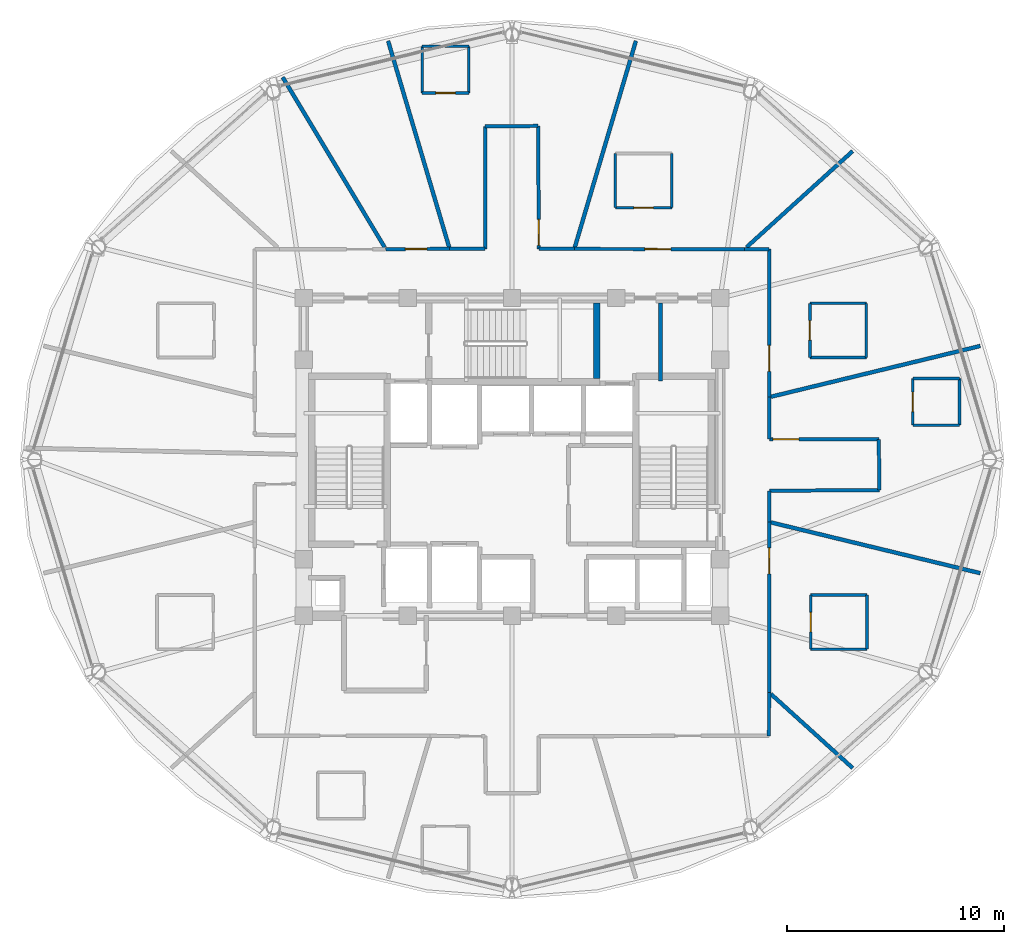
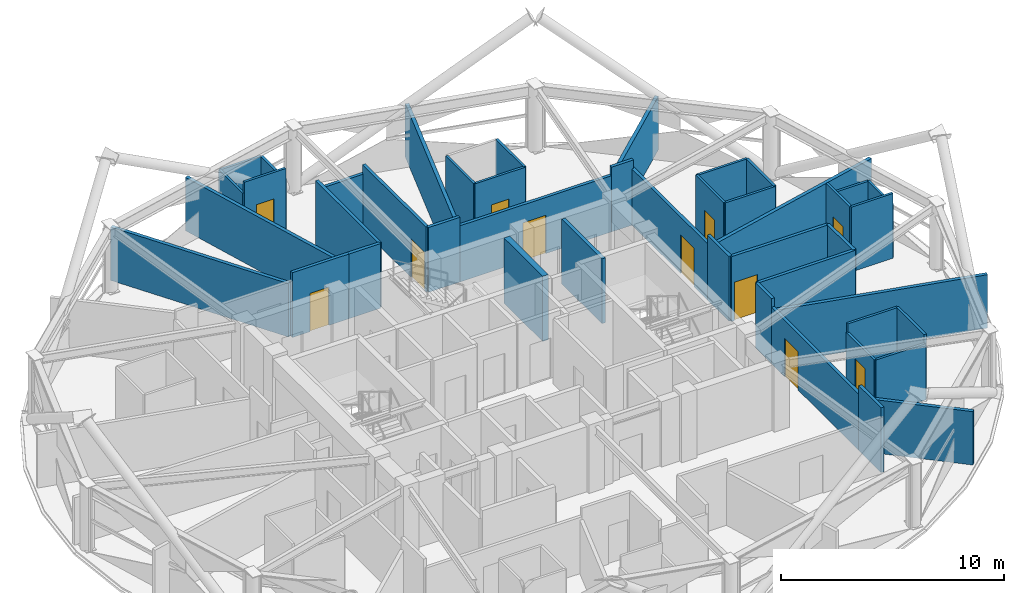
# One storey, part 24 of 29: 44 walls, 11 doors, 11 openings.
"""IFC4 building model written with IfcOpenShell, lengths in metres."""

from ifc_helpers import new_model, si_unit, direction, frame, frame_2d, origin, place, context, subcontext, project, spatial, rectangle, extrude, material, layer, layer_set, type_object, element, fill, save


model = new_model("IFC4")

# Units and contexts
model_context = context("Model", 3, precision=1e-05, world=origin(), true_north=direction((0.0, 1.0)))
body_context = subcontext(model_context, "Body", "Model", "MODEL_VIEW")
ifc_project = project(units=[si_unit("LENGTHUNIT", "METRE"), si_unit("AREAUNIT", "SQUARE_METRE"), si_unit("VOLUMEUNIT", "CUBIC_METRE"), si_unit("PLANEANGLEUNIT", "RADIAN"), si_unit("MASSUNIT", "GRAM", prefix="KILO")], contexts=[model_context])

# Site, building, storey
site_placement = place(None, origin())
site = spatial("IfcSite", under=ifc_project, at=site_placement, CompositionType="ELEMENT")
building_placement = place(site_placement, origin())
building = spatial("IfcBuilding", under=site, at=building_placement, Name="Vantalir Tower", CompositionType="ELEMENT")
storey_placement = place(building_placement, frame((0.0, 0.0, 219.89990234375)))
storey = spatial("IfcBuildingStorey", under=building, at=storey_placement, Name="L55", CompositionType="ELEMENT", Elevation=219.89990234375)

# Walls
ifc_material_1 = material(Name="Moisture-resistant en-suite partition", Category="gypsum")
ifc_layer_1 = layer(ifc_material_1, 0.125)
ifc_layer_set_1 = layer_set([ifc_layer_1], Name="Moisture-resistant en-suite partition")
wall_type_1 = type_object("IfcWallType", Name="WL-BATH-125", PredefinedType="PARTITIONING", material=ifc_layer_set_1)
for number, where, z_axis, x_axis, name in (
    (1, (45.237060546875, 29.7041015625, 0.0), (0.0, 0.0, 1.0), (1.0, 0.0, 0.0), "L55 En-suite 01 South Wall"),
    (2, (45.237060546875, 32.2041015625, 0.0), (0.0, 0.0, 1.0), (1.0, 0.0, 0.0), "L55 En-suite 01 North Wall"),
):
    element("IfcWall", number, at=place(storey_placement, frame(where, z_axis=z_axis, x_axis=x_axis)), inside=storey, type_object=wall_type_1, Name=name, PredefinedType="PARTITIONING", context=body_context, shape_type="SweptSolid", body=[
        extrude(rectangle(XDim=2.599853515625, YDim=0.125, at=frame_2d((1.2998046875, 0.0))), origin(), (0.0, 0.0, 1.0), 3.550048828125),
    ])

# Wall, opening, door
wall_1_placement = place(storey_placement, frame((45.237060546875, 29.7041015625, 0.0), z_axis=(0.0, 0.0, 1.0), x_axis=(0.0, 1.0, 0.0)))
wall_1 = element("IfcWall", 3, at=wall_1_placement, inside=storey, type_object=wall_type_1, Name="L55 En-suite 01 West Wall", PredefinedType="PARTITIONING", context=body_context, shape_type="SweptSolid", body=[
    extrude(rectangle(XDim=2.5, YDim=0.125, at=frame_2d((1.25, 0.0))), origin(), (0.0, 0.0, 1.0), 3.550048828125),
])
opening_1_placement = place(wall_1_placement, frame((0.800048828125, 0.0, 0.0)))
opening_1 = element("IfcOpeningElement", 4, at=opening_1_placement, cuts=wall_1, Name="Opening D-WC", PredefinedType="OPENING", context=body_context, shape_type="SweptSolid", body=[
    extrude(rectangle(XDim=0.89990234375, YDim=2.10009765625, at=frame_2d((0.449951171875, 1.050048828125))), frame((0.0, 0.072509765625, 0.0), z_axis=(0.0, -1.0, 0.0), x_axis=(1.0, 0.0, 0.0)), (0.0, 0.0, 1.0), 0.14501953125),
])
ifc_material_2 = material(Name="Moisture-resistant hardwood door", Category="wood")
door_type_1 = type_object("IfcDoorType", Name="DR-ENSUITE-900", OperationType="NOTDEFINED", PredefinedType="DOOR", material=ifc_material_2)
door_1_placement = place(opening_1_placement, frame((0.89990234375, 0.0, 0.0), z_axis=(0.0, 0.0, 1.0), x_axis=(-1.0, 0.0, 0.0)))
door_1 = element("IfcDoor", 5, at=door_1_placement, inside=storey, type_object=door_type_1, Name="L55 En-suite 01 Door", OperationType="SINGLE_SWING_LEFT", OverallHeight=2.10009765625, OverallWidth=0.89990234375, PredefinedType="DOOR", context=body_context, shape_type="SweptSolid", body=[
    extrude(rectangle(XDim=0.89990234375, YDim=2.10009765625, at=frame_2d((0.449951171875, 1.050048828125))), frame((0.0, 0.02490234375, 0.0), z_axis=(0.0, -1.0, 0.0), x_axis=(1.0, 0.0, 0.0)), (0.0, 0.0, 1.0), 0.050048828125),
])
fill(opening_1, door_1)

# Wall
wall_2_placement = place(storey_placement, frame((47.8369140625, 29.7041015625, 0.0), z_axis=(0.0, 0.0, 1.0), x_axis=(0.0, 1.0, 0.0)))
element("IfcWall", 6, at=wall_2_placement, inside=storey, type_object=wall_type_1, Name="L55 En-suite 01 East Wall", PredefinedType="PARTITIONING", context=body_context, shape_type="SweptSolid", body=[
    extrude(rectangle(XDim=2.5, YDim=0.125, at=frame_2d((1.25, 0.0))), origin(), (0.0, 0.0, 1.0), 3.550048828125),
])

# Wall, opening, door
wall_3_placement = place(storey_placement, frame((36.26708984375, 36.617919921875, 0.0), z_axis=(0.0, 0.0, 1.0), x_axis=(1.0, 0.0, 0.0)))
wall_3 = element("IfcWall", 7, at=wall_3_placement, inside=storey, type_object=wall_type_1, Name="L55 En-suite 02 South Wall", PredefinedType="PARTITIONING", context=body_context, shape_type="SweptSolid", body=[
    extrude(rectangle(XDim=2.599853515625, YDim=0.125, at=frame_2d((1.2998046875, 0.0))), origin(), (0.0, 0.0, 1.0), 3.550048828125),
])
opening_2_placement = place(wall_3_placement, frame((0.85009765625, 0.0, 0.0)))
opening_2 = element("IfcOpeningElement", 8, at=opening_2_placement, cuts=wall_3, Name="Opening D-WC", PredefinedType="OPENING", context=body_context, shape_type="SweptSolid", body=[
    extrude(rectangle(XDim=0.89990234375, YDim=2.10009765625, at=frame_2d((0.449951171875, 1.050048828125))), frame((0.0, 0.072509765625, 0.0), z_axis=(0.0, -1.0, 0.0), x_axis=(1.0, 0.0, 0.0)), (0.0, 0.0, 1.0), 0.14501953125),
])
door_2_placement = place(opening_2_placement, origin())
door_2 = element("IfcDoor", 9, at=door_2_placement, inside=storey, type_object=door_type_1, Name="L55 En-suite 02 Door", OperationType="SINGLE_SWING_RIGHT", OverallHeight=2.10009765625, OverallWidth=0.89990234375, PredefinedType="DOOR", context=body_context, shape_type="SweptSolid", body=[
    extrude(rectangle(XDim=0.89990234375, YDim=2.10009765625, at=frame_2d((0.449951171875, 1.050048828125))), frame((0.0, 0.02490234375, 0.0), z_axis=(0.0, -1.0, 0.0), x_axis=(1.0, 0.0, 0.0)), (0.0, 0.0, 1.0), 0.050048828125),
])
fill(opening_2, door_2)

# Walls
for number, where, z_axis, x_axis, name in (
    (10, (36.26708984375, 36.617919921875, 0.0), (0.0, 0.0, 1.0), (0.0, 1.0, 0.0), "L55 En-suite 02 West Wall"),
    (11, (38.866943359375, 36.617919921875, 0.0), (0.0, 0.0, 1.0), (0.0, 1.0, 0.0), "L55 En-suite 02 East Wall"),
):
    element("IfcWall", number, at=place(storey_placement, frame(where, z_axis=z_axis, x_axis=x_axis)), inside=storey, type_object=wall_type_1, Name=name, PredefinedType="PARTITIONING", context=body_context, shape_type="SweptSolid", body=[
        extrude(rectangle(XDim=2.5, YDim=0.125, at=frame_2d((1.25, 0.0))), origin(), (0.0, 0.0, 1.0), 3.550048828125),
    ])

# Wall, opening, door
wall_4_placement = place(storey_placement, frame((27.360107421875, 41.906005859375, 0.0), z_axis=(0.0, 0.0, 1.0), x_axis=(1.0, 0.0, 0.0)))
wall_4 = element("IfcWall", 12, at=wall_4_placement, inside=storey, type_object=wall_type_1, Name="L55 En-suite 03 South Wall", PredefinedType="PARTITIONING", context=body_context, shape_type="SweptSolid", body=[
    extrude(rectangle(XDim=2.14990234375, YDim=0.125, at=frame_2d((1.074951171875, 0.0))), origin(), (0.0, 0.0, 1.0), 3.550048828125),
])
opening_3_placement = place(wall_4_placement, frame((0.625, 0.0, 0.0)))
opening_3 = element("IfcOpeningElement", 13, at=opening_3_placement, cuts=wall_4, Name="Opening D-WC", PredefinedType="OPENING", context=body_context, shape_type="SweptSolid", body=[
    extrude(rectangle(XDim=0.89990234375, YDim=2.10009765625, at=frame_2d((0.449951171875, 1.050048828125))), frame((0.0, 0.072509765625, 0.0), z_axis=(0.0, -1.0, 0.0), x_axis=(1.0, 0.0, 0.0)), (0.0, 0.0, 1.0), 0.14501953125),
])
door_3_placement = place(opening_3_placement, origin())
door_3 = element("IfcDoor", 14, at=door_3_placement, inside=storey, type_object=door_type_1, Name="L55 En-suite 03 Door", OperationType="SINGLE_SWING_LEFT", OverallHeight=2.10009765625, OverallWidth=0.89990234375, PredefinedType="DOOR", context=body_context, shape_type="SweptSolid", body=[
    extrude(rectangle(XDim=0.89990234375, YDim=2.10009765625, at=frame_2d((0.449951171875, 1.050048828125))), frame((0.0, 0.02490234375, 0.0), z_axis=(0.0, -1.0, 0.0), x_axis=(1.0, 0.0, 0.0)), (0.0, 0.0, 1.0), 0.050048828125),
])
fill(opening_3, door_3)

# Walls
for number, where, z_axis, x_axis, name in (
    (15, (27.360107421875, 44.055908203125, 0.0), (0.0, 0.0, 1.0), (1.0, 0.0, 0.0), "L55 En-suite 03 North Wall"),
    (16, (27.360107421875, 41.906005859375, 0.0), (0.0, 0.0, 1.0), (0.0, 1.0, 0.0), "L55 En-suite 03 West Wall"),
    (17, (29.510009765625, 41.906005859375, 0.0), (0.0, 0.0, 1.0), (0.0, 1.0, 0.0), "L55 En-suite 03 East Wall"),
):
    element("IfcWall", number, at=place(storey_placement, frame(where, z_axis=z_axis, x_axis=x_axis)), inside=storey, type_object=wall_type_1, Name=name, PredefinedType="PARTITIONING", context=body_context, shape_type="SweptSolid", body=[
        extrude(rectangle(XDim=2.14990234375, YDim=0.125, at=frame_2d((1.074951171875, 0.0))), origin(), (0.0, 0.0, 1.0), 2.925048828125),
    ])
wall_5_placement = place(storey_placement, frame((45.27490234375, 16.256103515625, 0.0), z_axis=(0.0, 0.0, 1.0), x_axis=(1.0, 0.0, 0.0)))
element("IfcWall", 18, at=wall_5_placement, inside=storey, type_object=wall_type_1, Name="L55 En-suite 13 South Wall", PredefinedType="PARTITIONING", context=body_context, shape_type="SweptSolid", body=[
    extrude(rectangle(XDim=2.60009765625, YDim=0.125, at=frame_2d((1.300048828125, 0.0))), origin(), (0.0, 0.0, 1.0), 3.0810546875),
])
wall_6_placement = place(storey_placement, frame((45.27490234375, 18.756103515625, 0.0), z_axis=(0.0, 0.0, 1.0), x_axis=(1.0, 0.0, 0.0)))
element("IfcWall", 19, at=wall_6_placement, inside=storey, type_object=wall_type_1, Name="L55 En-suite 13 North Wall", PredefinedType="PARTITIONING", context=body_context, shape_type="SweptSolid", body=[
    extrude(rectangle(XDim=2.60009765625, YDim=0.125, at=frame_2d((1.300048828125, 0.0))), origin(), (0.0, 0.0, 1.0), 3.550048828125),
])

# Wall, opening, door
wall_7_placement = place(storey_placement, frame((45.27490234375, 16.256103515625, 0.0), z_axis=(0.0, 0.0, 1.0), x_axis=(0.0, 1.0, 0.0)))
wall_7 = element("IfcWall", 20, at=wall_7_placement, inside=storey, type_object=wall_type_1, Name="L55 En-suite 13 West Wall", PredefinedType="PARTITIONING", context=body_context, shape_type="SweptSolid", body=[
    extrude(rectangle(XDim=2.5, YDim=0.125, at=frame_2d((1.25, 0.0))), origin(), (0.0, 0.0, 1.0), 3.0810546875),
])
opening_4_placement = place(wall_7_placement, frame((0.800048828125, 0.0, 0.0)))
opening_4 = element("IfcOpeningElement", 21, at=opening_4_placement, cuts=wall_7, Name="Opening D-WC", PredefinedType="OPENING", context=body_context, shape_type="SweptSolid", body=[
    extrude(rectangle(XDim=0.89990234375, YDim=2.10009765625, at=frame_2d((0.449951171875, 1.050048828125))), frame((0.0, 0.072509765625, 0.0), z_axis=(0.0, -1.0, 0.0), x_axis=(1.0, 0.0, 0.0)), (0.0, 0.0, 1.0), 0.14501953125),
])
door_4_placement = place(opening_4_placement, frame((0.89990234375, 0.0, 0.0), z_axis=(0.0, 0.0, 1.0), x_axis=(-1.0, 0.0, 0.0)))
door_4 = element("IfcDoor", 22, at=door_4_placement, inside=storey, type_object=door_type_1, Name="L55 En-suite 13 Door", OperationType="SINGLE_SWING_LEFT", OverallHeight=2.10009765625, OverallWidth=0.89990234375, PredefinedType="DOOR", context=body_context, shape_type="SweptSolid", body=[
    extrude(rectangle(XDim=0.89990234375, YDim=2.10009765625, at=frame_2d((0.449951171875, 1.050048828125))), frame((0.0, 0.02490234375, 0.0), z_axis=(0.0, -1.0, 0.0), x_axis=(1.0, 0.0, 0.0)), (0.0, 0.0, 1.0), 0.050048828125),
])
fill(opening_4, door_4)

# Walls
wall_8_placement = place(storey_placement, frame((47.875, 16.256103515625, 0.0), z_axis=(0.0, 0.0, 1.0), x_axis=(0.0, 1.0, 0.0)))
element("IfcWall", 23, at=wall_8_placement, inside=storey, type_object=wall_type_1, Name="L55 En-suite 13 East Wall", PredefinedType="PARTITIONING", context=body_context, shape_type="SweptSolid", body=[
    extrude(rectangle(XDim=2.5, YDim=0.125, at=frame_2d((1.25, 0.0))), origin(), (0.0, 0.0, 1.0), 3.550048828125),
])
wall_9_placement = place(storey_placement, frame((49.985107421875, 26.589111328125, 0.0), z_axis=(0.0, 0.0, 1.0), x_axis=(1.0, 0.0, 0.0)))
element("IfcWall", 24, at=wall_9_placement, inside=storey, type_object=wall_type_1, Name="L55 En-suite 14 South Wall", PredefinedType="PARTITIONING", context=body_context, shape_type="SweptSolid", body=[
    extrude(rectangle(XDim=2.14990234375, YDim=0.125, at=frame_2d((1.074951171875, 0.0))), origin(), (0.0, 0.0, 1.0), 3.550048828125),
])
wall_10_placement = place(storey_placement, frame((49.985107421875, 28.739013671875, 0.0), z_axis=(0.0, 0.0, 1.0), x_axis=(1.0, 0.0, 0.0)))
element("IfcWall", 25, at=wall_10_placement, inside=storey, type_object=wall_type_1, Name="L55 En-suite 14 North Wall", PredefinedType="PARTITIONING", context=body_context, shape_type="SweptSolid", body=[
    extrude(rectangle(XDim=2.14990234375, YDim=0.125, at=frame_2d((1.074951171875, 0.0))), origin(), (0.0, 0.0, 1.0), 2.925048828125),
])

# Wall, opening, door
wall_11_placement = place(storey_placement, frame((49.985107421875, 26.589111328125, 0.0), z_axis=(0.0, 0.0, 1.0), x_axis=(0.0, 1.0, 0.0)))
wall_11 = element("IfcWall", 26, at=wall_11_placement, inside=storey, type_object=wall_type_1, Name="L55 En-suite 14 West Wall", PredefinedType="PARTITIONING", context=body_context, shape_type="SweptSolid", body=[
    extrude(rectangle(XDim=2.14990234375, YDim=0.125, at=frame_2d((1.074951171875, 0.0))), origin(), (0.0, 0.0, 1.0), 3.550048828125),
])
opening_5_placement = place(wall_11_placement, frame((0.625, 0.0, 0.0)))
opening_5 = element("IfcOpeningElement", 27, at=opening_5_placement, cuts=wall_11, Name="Opening D-WC", PredefinedType="OPENING", context=body_context, shape_type="SweptSolid", body=[
    extrude(rectangle(XDim=0.89990234375, YDim=2.10009765625, at=frame_2d((0.449951171875, 1.050048828125))), frame((0.0, 0.072509765625, 0.0), z_axis=(0.0, -1.0, 0.0), x_axis=(1.0, 0.0, 0.0)), (0.0, 0.0, 1.0), 0.14501953125),
])
door_5_placement = place(opening_5_placement, frame((0.89990234375, 0.0, 0.0), z_axis=(0.0, 0.0, 1.0), x_axis=(-1.0, 0.0, 0.0)))
door_5 = element("IfcDoor", 28, at=door_5_placement, inside=storey, type_object=door_type_1, Name="L55 En-suite 14 Door", OperationType="SINGLE_SWING_RIGHT", OverallHeight=2.10009765625, OverallWidth=0.89990234375, PredefinedType="DOOR", context=body_context, shape_type="SweptSolid", body=[
    extrude(rectangle(XDim=0.89990234375, YDim=2.10009765625, at=frame_2d((0.449951171875, 1.050048828125))), frame((0.0, 0.02490234375, 0.0), z_axis=(0.0, -1.0, 0.0), x_axis=(1.0, 0.0, 0.0)), (0.0, 0.0, 1.0), 0.050048828125),
])
fill(opening_5, door_5)

# Wall
wall_12_placement = place(storey_placement, frame((52.135009765625, 26.589111328125, 0.0), z_axis=(0.0, 0.0, 1.0), x_axis=(0.0, 1.0, 0.0)))
element("IfcWall", 29, at=wall_12_placement, inside=storey, type_object=wall_type_1, Name="L55 En-suite 14 East Wall", PredefinedType="PARTITIONING", context=body_context, shape_type="SweptSolid", body=[
    extrude(rectangle(XDim=2.14990234375, YDim=0.125, at=frame_2d((1.074951171875, 0.0))), origin(), (0.0, 0.0, 1.0), 2.925048828125),
])

# Wall, opening, door
ifc_material_3 = material(Name="Fire-rated hotel corridor acoustic partition", Category="gypsum")
ifc_layer_2 = layer(ifc_material_3, 0.159912109375)
ifc_layer_set_2 = layer_set([ifc_layer_2], Name="Fire-rated hotel corridor acoustic partition")
wall_type_2 = type_object("IfcWallType", Name="WL-CORR-160", PredefinedType="PARTITIONING", material=ifc_layer_set_2)
wall_13_placement = place(storey_placement, frame((25.677978515625, 34.708984375, 0.0), z_axis=(0.0, 0.0, 1.0), x_axis=(0.99999912212, 0.001325050597, 0.0)))
wall_13 = element("IfcWall", 30, at=wall_13_placement, inside=storey, type_object=wall_type_2, Name="L55 Corridor Partition 06", PredefinedType="PARTITIONING", context=body_context, shape_type="SweptSolid", body=[
    extrude(rectangle(XDim=2.947998046875, YDim=0.159912109375, at=frame_2d((1.47412109375, 0.0))), origin(), (0.0, 0.0, 1.0), 3.550048828125),
])
opening_6_placement = place(wall_13_placement, frame((0.89990234375, 0.0, 0.0)))
opening_6 = element("IfcOpeningElement", 31, at=opening_6_placement, cuts=wall_13, Name="Opening D-GUEST", PredefinedType="OPENING", context=body_context, shape_type="SweptSolid", body=[
    extrude(rectangle(XDim=1.0, YDim=2.10009765625, at=frame_2d((0.5, 1.050048828125))), frame((0.0, 0.08984375, 0.0), z_axis=(0.0, -1.0, 0.0), x_axis=(1.0, 0.0, 0.0)), (0.0, 0.0, 1.0), 0.179931640625),
])
ifc_material_4 = material(Name="Solid-core teak veneer acoustic fire door", Category="wood")
door_type_2 = type_object("IfcDoorType", Name="DR-GUEST-ENTRY-1000", OperationType="NOTDEFINED", PredefinedType="DOOR", material=ifc_material_4)
door_6_placement = place(opening_6_placement, origin())
door_6 = element("IfcDoor", 32, at=door_6_placement, inside=storey, type_object=door_type_2, Name="L55 Executive Business Study 04 Door", OperationType="SINGLE_SWING_RIGHT", OverallHeight=2.10009765625, OverallWidth=1.0, PredefinedType="DOOR", context=body_context, shape_type="SweptSolid", body=[
    extrude(rectangle(XDim=1.0, YDim=2.10009765625, at=frame_2d((0.5, 1.050048828125))), frame((0.0, 0.02490234375, 0.0), z_axis=(0.0, -1.0, 0.0), x_axis=(1.0, 0.0, 0.0)), (0.0, 0.0, 1.0), 0.050048828125),
])
fill(opening_6, door_6)

# Walls
wall_14_placement = place(storey_placement, frame((28.6259765625, 34.712890625, 0.0), z_axis=(0.0, 0.0, 1.0), x_axis=(0.999999095908, 0.001344687265, 0.0)))
element("IfcWall", 33, at=wall_14_placement, inside=storey, type_object=wall_type_2, Name="L55 Corridor Partition 07", PredefinedType="PARTITIONING", context=body_context, shape_type="SweptSolid", body=[
    extrude(rectangle(XDim=1.634033203125, YDim=0.159912109375, at=frame_2d((0.81689453125, 0.0))), origin(), (0.0, 0.0, 1.0), 3.550048828125),
])
wall_15_placement = place(storey_placement, frame((30.260009765625, 34.715087890625, 0.0), z_axis=(0.0, 0.0, 1.0), x_axis=(0.00051889641, 0.999999865373, 0.0)))
element("IfcWall", 34, at=wall_15_placement, inside=storey, type_object=wall_type_2, Name="L55 Corridor Partition 08", PredefinedType="PARTITIONING", context=body_context, shape_type="SweptSolid", body=[
    extrude(rectangle(XDim=5.64599609375, YDim=0.159912109375, at=frame_2d((2.822998046875, 0.0))), origin(), (0.0, 0.0, 1.0), 3.550048828125),
])
wall_16_placement = place(storey_placement, frame((30.262939453125, 40.361083984375, 0.0), z_axis=(0.0, 0.0, 1.0), x_axis=(0.999947973655, 0.01020048938, 0.0)))
element("IfcWall", 35, at=wall_16_placement, inside=storey, type_object=wall_type_2, Name="L55 Corridor Partition 09", PredefinedType="PARTITIONING", context=body_context, shape_type="SweptSolid", body=[
    extrude(rectangle(XDim=2.44140625, YDim=0.159912109375, at=frame_2d((1.220703125, 0.0))), origin(), (0.0, 0.0, 1.0), 3.0810546875),
])

# Wall, opening, door
wall_17_placement = place(storey_placement, frame((32.7041015625, 40.385986328125, 0.0), z_axis=(0.0, 0.0, 1.0), x_axis=(0.00632844224, -0.999979975209, 0.0)))
wall_17 = element("IfcWall", 36, at=wall_17_placement, inside=storey, type_object=wall_type_2, Name="L55 Corridor Partition 10", PredefinedType="PARTITIONING", context=body_context, shape_type="SweptSolid", body=[
    extrude(rectangle(XDim=5.6708984375, YDim=0.159912109375, at=frame_2d((2.83544921875, 0.0))), origin(), (0.0, 0.0, 1.0), 3.550048828125),
])
opening_7_placement = place(wall_17_placement, frame((4.31103515625, 0.0, 0.0)))
opening_7 = element("IfcOpeningElement", 37, at=opening_7_placement, cuts=wall_17, Name="Opening D-STE", PredefinedType="OPENING", context=body_context, shape_type="SweptSolid", body=[
    extrude(rectangle(XDim=1.199951171875, YDim=2.10009765625, at=frame_2d((0.60009765625, 1.050048828125))), frame((0.0, 0.08984375, 0.0), z_axis=(0.0, -1.0, 0.0), x_axis=(1.0, 0.0, 0.0)), (0.0, 0.0, 1.0), 0.179931640625),
])
ifc_material_5 = material(Name="Solid-core teak veneer suite entrance door", Category="wood")
door_type_3 = type_object("IfcDoorType", Name="DR-SUITE-ENTRY-1200", OperationType="NOTDEFINED", PredefinedType="DOOR", material=ifc_material_5)
door_7_placement = place(opening_7_placement, origin())
door_7 = element("IfcDoor", 38, at=door_7_placement, inside=storey, type_object=door_type_3, Name="L55 Corner Panorama Hotel Suite 03 Door", OperationType="SINGLE_SWING_LEFT", OverallHeight=2.10009765625, OverallWidth=1.199951171875, PredefinedType="DOOR", context=body_context, shape_type="SweptSolid", body=[
    extrude(rectangle(XDim=1.199951171875, YDim=2.10009765625, at=frame_2d((0.60009765625, 1.050048828125))), frame((0.0, 0.02490234375, 0.0), z_axis=(0.0, -1.0, 0.0), x_axis=(1.0, 0.0, 0.0)), (0.0, 0.0, 1.0), 0.050048828125),
])
fill(opening_7, door_7)

# Wall
wall_18_placement = place(storey_placement, frame((32.739990234375, 34.715087890625, 0.0), z_axis=(0.0, 0.0, 1.0), x_axis=(0.999999095908, -0.001344687265, 0.0)))
element("IfcWall", 39, at=wall_18_placement, inside=storey, type_object=wall_type_2, Name="L55 Corridor Partition 11", PredefinedType="PARTITIONING", context=body_context, shape_type="SweptSolid", body=[
    extrude(rectangle(XDim=1.634033203125, YDim=0.159912109375, at=frame_2d((0.81689453125, 0.0))), origin(), (0.0, 0.0, 1.0), 3.550048828125),
])

# Wall, opening, door
wall_19_placement = place(storey_placement, frame((34.3740234375, 34.712890625, 0.0), z_axis=(0.0, 0.0, 1.0), x_axis=(0.999999504007, -0.000995984442, 0.0)))
wall_19 = element("IfcWall", 40, at=wall_19_placement, inside=storey, type_object=wall_type_2, Name="L55 Corridor Partition 12", PredefinedType="PARTITIONING", context=body_context, shape_type="SweptSolid", body=[
    extrude(rectangle(XDim=7.843994140625, YDim=0.159912109375, at=frame_2d((3.921875, 0.0))), origin(), (0.0, 0.0, 1.0), 3.0810546875),
])
opening_8_placement = place(wall_19_placement, frame((3.248046875, 0.0, 0.0)))
opening_8 = element("IfcOpeningElement", 41, at=opening_8_placement, cuts=wall_19, Name="Opening D-STE", PredefinedType="OPENING", context=body_context, shape_type="SweptSolid", body=[
    extrude(rectangle(XDim=1.199951171875, YDim=2.10009765625, at=frame_2d((0.60009765625, 1.050048828125))), frame((0.0, 0.08984375, 0.0), z_axis=(0.0, -1.0, 0.0), x_axis=(1.0, 0.0, 0.0)), (0.0, 0.0, 1.0), 0.179931640625),
])
door_8_placement = place(opening_8_placement, origin())
door_8 = element("IfcDoor", 42, at=door_8_placement, inside=storey, type_object=door_type_3, Name="L55 Royal Ambassador Hotel Suite 02 Door", OperationType="SINGLE_SWING_RIGHT", OverallHeight=2.10009765625, OverallWidth=1.199951171875, PredefinedType="DOOR", context=body_context, shape_type="SweptSolid", body=[
    extrude(rectangle(XDim=1.199951171875, YDim=2.10009765625, at=frame_2d((0.60009765625, 1.050048828125))), frame((0.0, 0.02490234375, 0.0), z_axis=(0.0, -1.0, 0.0), x_axis=(1.0, 0.0, 0.0)), (0.0, 0.0, 1.0), 0.050048828125),
])
fill(opening_8, door_8)

# Wall
wall_20_placement = place(storey_placement, frame((42.218017578125, 34.705078125, 0.0), z_axis=(0.0, 0.0, 1.0), x_axis=(0.99999812615, -0.001935896566, 0.0)))
element("IfcWall", 43, at=wall_20_placement, inside=storey, type_object=wall_type_2, Name="L55 Corridor Partition 13", PredefinedType="PARTITIONING", context=body_context, shape_type="SweptSolid", body=[
    extrude(rectangle(XDim=1.135009765625, YDim=0.159912109375, at=frame_2d((0.5673828125, 0.0))), origin(), (0.0, 0.0, 1.0), 3.550048828125),
])

# Wall, opening, door
wall_21_placement = place(storey_placement, frame((43.35302734375, 34.702880859375, 0.0), z_axis=(0.0, 0.0, 1.0), x_axis=(0.001323554555, -0.999999124101, 0.0)))
wall_21 = element("IfcWall", 44, at=wall_21_placement, inside=storey, type_object=wall_type_2, Name="L55 Corridor Partition 14", PredefinedType="PARTITIONING", context=body_context, shape_type="SweptSolid", body=[
    extrude(rectangle(XDim=6.824951171875, YDim=0.159912109375, at=frame_2d((3.41259765625, 0.0))), origin(), (0.0, 0.0, 1.0), 3.0810546875),
])
opening_9_placement = place(wall_21_placement, frame((4.43310546875, 0.0, 0.0)))
opening_9 = element("IfcOpeningElement", 45, at=opening_9_placement, cuts=wall_21, Name="Opening D-STE", PredefinedType="OPENING", context=body_context, shape_type="SweptSolid", body=[
    extrude(rectangle(XDim=1.199951171875, YDim=2.10009765625, at=frame_2d((0.60009765625, 1.050048828125))), frame((0.0, 0.08984375, 0.0), z_axis=(0.0, -1.0, 0.0), x_axis=(1.0, 0.0, 0.0)), (0.0, 0.0, 1.0), 0.179931640625),
])
door_9_placement = place(opening_9_placement, origin())
door_9 = element("IfcDoor", 46, at=door_9_placement, inside=storey, type_object=door_type_3, Name="L55 Royal Ambassador Hotel Suite 01 Door", OperationType="SINGLE_SWING_LEFT", OverallHeight=2.10009765625, OverallWidth=1.199951171875, PredefinedType="DOOR", context=body_context, shape_type="SweptSolid", body=[
    extrude(rectangle(XDim=1.199951171875, YDim=2.10009765625, at=frame_2d((0.60009765625, 1.050048828125))), frame((0.0, 0.02490234375, 0.0), z_axis=(0.0, -1.0, 0.0), x_axis=(1.0, 0.0, 0.0)), (0.0, 0.0, 1.0), 0.050048828125),
])
fill(opening_9, door_9)

# Wall
wall_22_placement = place(storey_placement, frame((43.362060546875, 27.8779296875, 0.0), z_axis=(0.0, 0.0, 1.0), x_axis=(0.00151171407, -0.99999885736, 0.0)))
element("IfcWall", 47, at=wall_22_placement, inside=storey, type_object=wall_type_2, Name="L55 Corridor Partition 15", PredefinedType="PARTITIONING", context=body_context, shape_type="SweptSolid", body=[
    extrude(rectangle(XDim=1.93798828125, YDim=0.159912109375, at=frame_2d((0.968994140625, 0.0))), origin(), (0.0, 0.0, 1.0), 3.550048828125),
])

# Wall, opening, door
wall_23_placement = place(storey_placement, frame((43.364990234375, 25.93994140625, 0.0), z_axis=(0.0, 0.0, 1.0), x_axis=(0.999999831724, -0.000580130432, 0.0)))
wall_23 = element("IfcWall", 48, at=wall_23_placement, inside=storey, type_object=wall_type_2, Name="L55 Corridor Partition 16", PredefinedType="PARTITIONING", context=body_context, shape_type="SweptSolid", body=[
    extrude(rectangle(XDim=5.050048828125, YDim=0.159912109375, at=frame_2d((2.52490234375, 0.0))), origin(), (0.0, 0.0, 1.0), 3.550048828125),
])
opening_10_placement = place(wall_23_placement, frame((0.159912109375, 0.0, 0.0)))
opening_10 = element("IfcOpeningElement", 49, at=opening_10_placement, cuts=wall_23, Name="Opening D-STE", PredefinedType="OPENING", context=body_context, shape_type="SweptSolid", body=[
    extrude(rectangle(XDim=1.199951171875, YDim=2.10009765625, at=frame_2d((0.60009765625, 1.050048828125))), frame((0.0, 0.08984375, 0.0), z_axis=(0.0, -1.0, 0.0), x_axis=(1.0, 0.0, 0.0)), (0.0, 0.0, 1.0), 0.179931640625),
])
door_10_placement = place(opening_10_placement, origin())
door_10 = element("IfcDoor", 50, at=door_10_placement, inside=storey, type_object=door_type_3, Name="L55 Executive Club Hotel Suite 14 Door", OperationType="SINGLE_SWING_RIGHT", OverallHeight=2.10009765625, OverallWidth=1.199951171875, PredefinedType="DOOR", context=body_context, shape_type="SweptSolid", body=[
    extrude(rectangle(XDim=1.199951171875, YDim=2.10009765625, at=frame_2d((0.60009765625, 1.050048828125))), frame((0.0, 0.02490234375, 0.0), z_axis=(0.0, -1.0, 0.0), x_axis=(1.0, 0.0, 0.0)), (0.0, 0.0, 1.0), 0.050048828125),
])
fill(opening_10, door_10)

# Walls
wall_24_placement = place(storey_placement, frame((48.4150390625, 25.93701171875, 0.0), z_axis=(0.0, 0.0, 1.0), x_axis=(0.010636586698, -0.999943429912, 0.0)))
element("IfcWall", 51, at=wall_24_placement, inside=storey, type_object=wall_type_2, Name="L55 Corridor Partition 17", PredefinedType="PARTITIONING", context=body_context, shape_type="SweptSolid", body=[
    extrude(rectangle(XDim=2.34130859375, YDim=0.159912109375, at=frame_2d((1.170654296875, 0.0))), origin(), (0.0, 0.0, 1.0), 3.550048828125),
])
wall_25_placement = place(storey_placement, frame((48.43994140625, 23.595947265625, 0.0), z_axis=(0.0, 0.0, 1.0), x_axis=(-0.999974996273, -0.007071550702, 0.0)))
element("IfcWall", 52, at=wall_25_placement, inside=storey, type_object=wall_type_2, Name="L55 Corridor Partition 18", PredefinedType="PARTITIONING", context=body_context, shape_type="SweptSolid", body=[
    extrude(rectangle(XDim=5.0751953125, YDim=0.159912109375, at=frame_2d((2.53759765625, 0.0))), origin(), (0.0, 0.0, 1.0), 3.550048828125),
])
wall_26_placement = place(storey_placement, frame((43.364990234375, 23.56005859375, 0.0), z_axis=(0.0, 0.0, 1.0), x_axis=(-0.001358233043, -0.999999077601, 0.0)))
element("IfcWall", 53, at=wall_26_placement, inside=storey, type_object=wall_type_2, Name="L55 Corridor Partition 19", PredefinedType="PARTITIONING", context=body_context, shape_type="SweptSolid", body=[
    extrude(rectangle(XDim=1.43798828125, YDim=0.159912109375, at=frame_2d((0.718994140625, 0.0))), origin(), (0.0, 0.0, 1.0), 3.550048828125),
])

# Wall, opening, door
wall_27_placement = place(storey_placement, frame((43.363037109375, 22.1220703125, 0.0), z_axis=(0.0, 0.0, 1.0), x_axis=(-0.001274478294, -0.999999187852, 0.0)))
wall_27 = element("IfcWall", 54, at=wall_27_placement, inside=storey, type_object=wall_type_2, Name="L55 Corridor Partition 20", PredefinedType="PARTITIONING", context=body_context, shape_type="SweptSolid", body=[
    extrude(rectangle(XDim=7.85400390625, YDim=0.159912109375, at=frame_2d((3.927001953125, 0.0))), origin(), (0.0, 0.0, 1.0), 3.0810546875),
])
opening_11_placement = place(wall_27_placement, frame((1.19091796875, 0.0, 0.0)))
opening_11 = element("IfcOpeningElement", 55, at=opening_11_placement, cuts=wall_27, Name="Opening D-STE", PredefinedType="OPENING", context=body_context, shape_type="SweptSolid", body=[
    extrude(rectangle(XDim=1.199951171875, YDim=2.10009765625, at=frame_2d((0.60009765625, 1.050048828125))), frame((0.0, 0.08984375, 0.0), z_axis=(0.0, -1.0, 0.0), x_axis=(1.0, 0.0, 0.0)), (0.0, 0.0, 1.0), 0.179931640625),
])
door_11_placement = place(opening_11_placement, origin())
door_11 = element("IfcDoor", 56, at=door_11_placement, inside=storey, type_object=door_type_3, Name="L55 Corner Panorama Hotel Suite 13 Door", OperationType="SINGLE_SWING_LEFT", OverallHeight=2.10009765625, OverallWidth=1.199951171875, PredefinedType="DOOR", context=body_context, shape_type="SweptSolid", body=[
    extrude(rectangle(XDim=1.199951171875, YDim=2.10009765625, at=frame_2d((0.60009765625, 1.050048828125))), frame((0.0, 0.02490234375, 0.0), z_axis=(0.0, -1.0, 0.0), x_axis=(1.0, 0.0, 0.0)), (0.0, 0.0, 1.0), 0.050048828125),
])
fill(opening_11, door_11)

# Walls
wall_28_placement = place(storey_placement, frame((43.35302734375, 14.26806640625, 0.0), z_axis=(0.0, 0.0, 1.0), x_axis=(-0.001458255832, -0.999998936744, 0.0)))
element("IfcWall", 57, at=wall_28_placement, inside=storey, type_object=wall_type_2, Name="L55 Corridor Partition 21", PredefinedType="PARTITIONING", context=body_context, shape_type="SweptSolid", body=[
    extrude(rectangle(XDim=2.009033203125, YDim=0.159912109375, at=frame_2d((1.00439453125, 0.0))), origin(), (0.0, 0.0, 1.0), 3.550048828125),
])
ifc_material_6 = material(Name="Twin-stud acoustic fire-rated gypsum partition", Category="gypsum")
ifc_layer_3 = layer(ifc_material_6, 0.179931640625)
ifc_layer_set_3 = layer_set([ifc_layer_3], Name="Twin-stud acoustic fire-rated gypsum partition")
wall_type_3 = type_object("IfcWallType", Name="WL-GUEST-180", PredefinedType="PARTITIONING", material=ifc_layer_set_3)
wall_29_placement = place(storey_placement, frame((38.340087890625, 28.6201171875, 0.0), z_axis=(0.0, 0.0, 1.0), x_axis=(0.0, 1.0, 0.0)))
element("IfcWall", 58, at=wall_29_placement, inside=storey, type_object=wall_type_3, Name="L55 High-Rise Lift Lobby East Wall", PredefinedType="PARTITIONING", context=body_context, shape_type="SweptSolid", body=[
    extrude(rectangle(XDim=3.60498046875, YDim=0.179931640625, at=frame_2d((1.802490234375, 0.0))), origin(), (0.0, 0.0, 1.0), 3.550048828125),
])
wall_30_placement = place(storey_placement, frame((43.43994140625, 27.89697265625, 0.0), z_axis=(0.0, 0.0, 1.0), x_axis=(0.97180626126, 0.235780810447, 0.0)))
element("IfcWall", 59, at=wall_30_placement, inside=storey, type_object=wall_type_3, Name="L55 Radial Suite Partition 01", PredefinedType="PARTITIONING", context=body_context, shape_type="SweptSolid", body=[
    extrude(rectangle(XDim=9.93310546875, YDim=0.179931640625, at=frame_2d((4.966552734375, 0.0))), origin(), (0.0, 0.0, 1.0), 2.925048828125),
])
wall_31_placement = place(storey_placement, frame((42.31201171875, 34.7900390625, 0.0), z_axis=(0.0, 0.0, 1.0), x_axis=(0.74129840932, 0.671175586817, 0.0)))
element("IfcWall", 60, at=wall_31_placement, inside=storey, type_object=wall_type_3, Name="L55 Radial Suite Partition 02", PredefinedType="PARTITIONING", context=body_context, shape_type="SweptSolid", body=[
    extrude(rectangle(XDim=6.604736328125, YDim=0.179931640625, at=frame_2d((3.30224609375, 0.0))), origin(), (0.0, 0.0, 1.0), 2.925048828125),
])
for number, where, z_axis, x_axis, name in (
    (61, (34.39697265625, 34.7900390625, 0.0), (0.0, 0.0, 1.0), (0.283807779654, 0.958881194001, 0.0), "L55 Radial Suite Partition 03"),
    (62, (28.60302734375, 34.7900390625, 0.0), (0.0, 0.0, 1.0), (-0.283807779654, 0.958881194001, 0.0), "L55 Radial Suite Partition 04"),
):
    element("IfcWall", number, at=place(storey_placement, frame(where, z_axis=z_axis, x_axis=x_axis)), inside=storey, type_object=wall_type_3, Name=name, PredefinedType="PARTITIONING", context=body_context, shape_type="SweptSolid", body=[
        extrude(rectangle(XDim=9.92626953125, YDim=0.179931640625, at=frame_2d((4.963134765625, 0.0))), origin(), (0.0, 0.0, 1.0), 2.925048828125),
    ])
wall_32_placement = place(storey_placement, frame((25.62890625, 34.7900390625, 0.0), z_axis=(0.0, 0.0, 1.0), x_axis=(-0.514260176144, 0.85763422928, 0.0)))
element("IfcWall", 63, at=wall_32_placement, inside=storey, type_object=wall_type_3, Name="L55 Radial Suite Partition 05", PredefinedType="PARTITIONING", context=body_context, shape_type="SweptSolid", body=[
    extrude(rectangle(XDim=9.14501953125, YDim=0.179931640625, at=frame_2d((4.572509765625, 0.0))), origin(), (0.0, 0.0, 1.0), 2.925048828125),
])
wall_33_placement = place(storey_placement, frame((43.43994140625, 14.18896484375, 0.0), z_axis=(0.0, 0.0, 1.0), x_axis=(0.741275158448, -0.671201265991, 0.0)))
element("IfcWall", 64, at=wall_33_placement, inside=storey, type_object=wall_type_3, Name="L55 Radial Suite Partition 13", PredefinedType="PARTITIONING", context=body_context, shape_type="SweptSolid", body=[
    extrude(rectangle(XDim=5.083251953125, YDim=0.179931640625, at=frame_2d((2.54150390625, 0.0))), origin(), (0.0, 0.0, 1.0), 2.925048828125),
])
wall_34_placement = place(storey_placement, frame((43.43994140625, 22.10302734375, 0.0), z_axis=(0.0, 0.0, 1.0), x_axis=(0.97180626126, -0.235780810447, 0.0)))
element("IfcWall", 65, at=wall_34_placement, inside=storey, type_object=wall_type_3, Name="L55 Radial Suite Partition 14", PredefinedType="PARTITIONING", context=body_context, shape_type="SweptSolid", body=[
    extrude(rectangle(XDim=9.93310546875, YDim=0.179931640625, at=frame_2d((4.966552734375, 0.0))), origin(), (0.0, 0.0, 1.0), 2.925048828125),
])
ifc_material_7 = material(Name="Concrete C50/60", Category="concrete")
ifc_layer_4 = layer(ifc_material_7, 0.300048828125)
ifc_layer_set_4 = layer_set([ifc_layer_4], Name="Concrete C50/60")
wall_type_4 = type_object("IfcWallType", Name="WL-STAIR-300", PredefinedType="SHEAR", material=ifc_layer_set_4)
wall_35_placement = place(storey_placement, frame((35.39990234375, 28.75, 0.0), z_axis=(0.0, 0.0, 1.0), x_axis=(0.0, 1.0, 0.0)))
element("IfcWall", 66, at=wall_35_placement, inside=storey, type_object=wall_type_4, Name="L55 Stair ST3 East Wall", PredefinedType="SHEAR", context=body_context, shape_type="SweptSolid", body=[
    extrude(rectangle(XDim=3.47509765625, YDim=0.300048828125, at=frame_2d((1.737548828125, 0.0))), origin(), (0.0, 0.0, 1.0), 3.570068359375),
])

save(model, "model.ifc")
